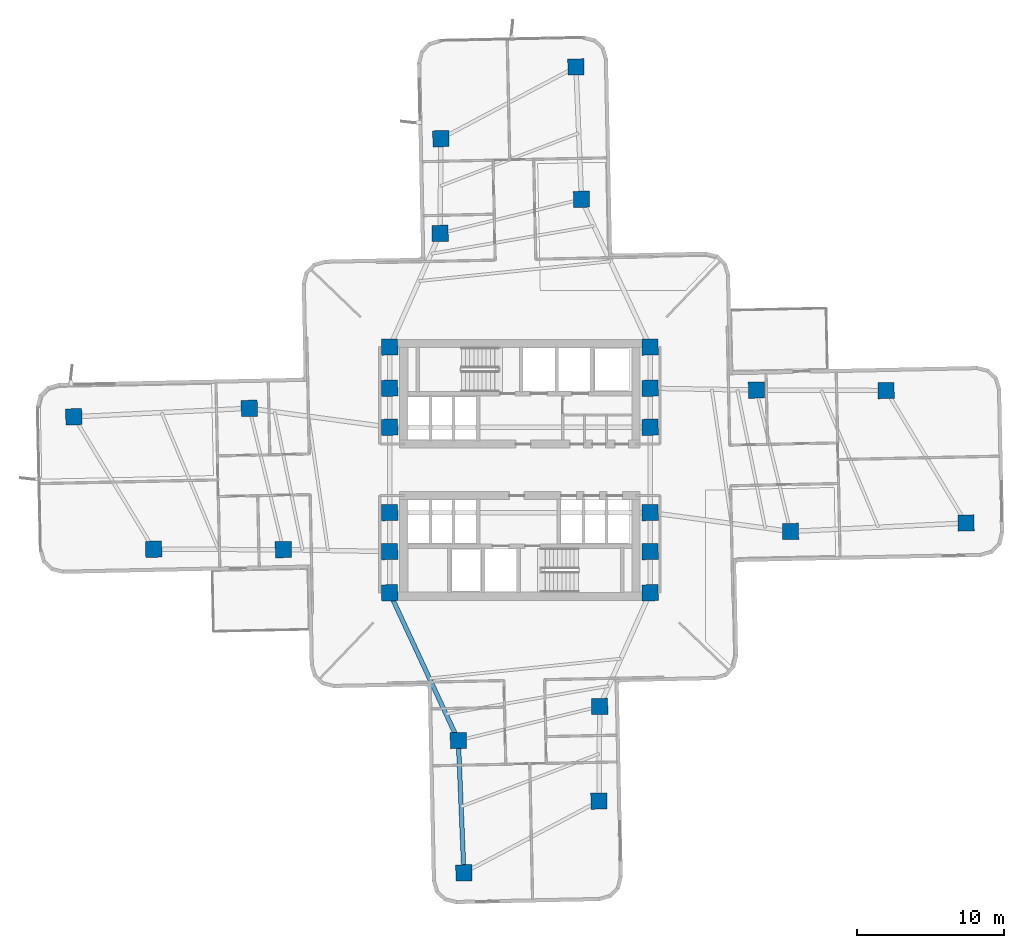
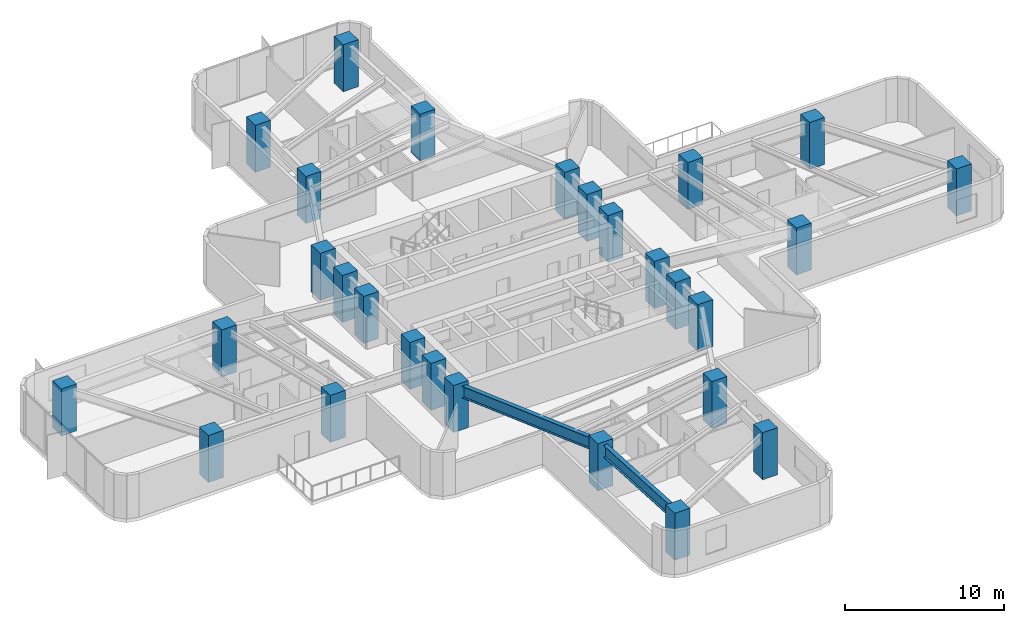
# One storey, part 1 of 15: 28 columns, 2 beams.
"""IFC4 building model written with IfcOpenShell, lengths in metres."""

from ifc_helpers import new_model, si_unit, direction, frame, origin, origin_2d, place, context, subcontext, project, spatial, rectangle, i_section, extrude, material, material_profile, profile_set, type_object, element, save


model = new_model("IFC4")

# Units and contexts
model_context = context("Model", 3, precision=1e-05, world=origin(), true_north=direction((0.0, 1.0)))
body_context = subcontext(model_context, "Body", "Model", "MODEL_VIEW")
ifc_project = project(units=[si_unit("LENGTHUNIT", "METRE"), si_unit("AREAUNIT", "SQUARE_METRE"), si_unit("VOLUMEUNIT", "CUBIC_METRE"), si_unit("PLANEANGLEUNIT", "RADIAN"), si_unit("MASSUNIT", "GRAM", prefix="KILO")], contexts=[model_context])

# Site, building, storey
site_placement = place(None, origin())
site = spatial("IfcSite", under=ifc_project, at=site_placement, CompositionType="ELEMENT")
building_placement = place(site_placement, origin())
building = spatial("IfcBuilding", under=site, at=building_placement, Name="Solmarez Civic Tower", CompositionType="ELEMENT")
storey_placement = place(building_placement, frame((0.0, 0.0, 38.8798828125)))
storey = spatial("IfcBuildingStorey", under=building, at=storey_placement, Name="L09", CompositionType="ELEMENT", Elevation=38.8798828125)

# Columns
ifc_material_1 = material(Name="Concrete C60/75", Category="concrete")
ifc_material_profile_1 = material_profile(ifc_material_1, rectangle(XDim=1.10009765625, YDim=1.10009765625, at=origin_2d()), Name="RC1100X1100")
ifc_profile_set_1 = profile_set([ifc_material_profile_1], Name="Concrete C60/75")
column_type = type_object("IfcColumnType", Name="COL-RC1100", PredefinedType="COLUMN", material=ifc_profile_set_1)
for number, where, z_axis, x_axis, name in (
    (1, (-8.85009765625, -5.550048828125, 0.0), (0.0, 0.0, 1.0), (0.999780683475, 0.020942419883, 0.0), "L09 Structural Column HC1"),
    (2, (-8.85009765625, -2.89990234375, 0.0), (0.0, 0.0, 1.0), (0.999780683475, 0.020942419883, 0.0), "L09 Structural Column HC2"),
    (3, (-8.85009765625, 2.89990234375, 0.0), (0.0, 0.0, 1.0), (0.999780683475, 0.020942419883, 0.0), "L09 Structural Column HC3"),
    (4, (-8.85009765625, 5.550048828125, 0.0), (0.0, 0.0, 1.0), (0.999780683475, 0.020942419883, 0.0), "L09 Structural Column HC4"),
    (5, (8.85009765625, -5.550048828125, 0.0), (0.0, 0.0, 1.0), (0.999780683475, 0.020942419883, 0.0), "L09 Structural Column HC5"),
    (6, (8.85009765625, -2.89990234375, 0.0), (0.0, 0.0, 1.0), (0.999780683475, 0.020942419883, 0.0), "L09 Structural Column HC6"),
    (7, (8.85009765625, 2.89990234375, 0.0), (0.0, 0.0, 1.0), (0.999780683475, 0.020942419883, 0.0), "L09 Structural Column HC7"),
    (8, (8.85009765625, 5.550048828125, 0.0), (0.0, 0.0, 1.0), (0.999780683475, 0.020942419883, 0.0), "L09 Structural Column HC8"),
    (9, (-8.85009765625, 8.35009765625, 0.0), (0.0, 0.0, 1.0), (0.999780683475, 0.020942419883, 0.0), "L09 Structural Column HC9"),
    (10, (8.85009765625, -8.35009765625, 0.0), (0.0, 0.0, 1.0), (0.999780683475, 0.020942419883, 0.0), "L09 Structural Column HC10"),
    (11, (8.85009765625, 8.35009765625, 0.0), (0.0, 0.0, 1.0), (0.999780683475, 0.020942419883, 0.0), "L09 Structural Column HC11"),
    (12, (-8.85009765625, -8.35009765625, 0.0), (0.0, 0.0, 1.0), (0.999780683475, 0.020942419883, 0.0), "L09 Structural Column HC12"),
    (13, (18.39111328125, -4.18408203125, 0.0), (0.0, 0.0, 1.0), (0.999780683475, 0.020942419883, 0.0), "L09 Structural Column EA11"),
    (14, (16.075927734375, 5.4208984375, 0.0), (0.0, 0.0, 1.0), (0.999780683475, 0.020942419883, 0.0), "L09 Structural Column EA12"),
    (15, (30.318115234375, -3.60888671875, 0.0), (0.0, 0.0, 1.0), (0.999780683475, 0.020942419883, 0.0), "L09 Structural Column EA21"),
    (16, (24.887939453125, 5.39306640625, 0.0), (0.0, 0.0, 1.0), (0.999780683475, 0.020942419883, 0.0), "L09 Structural Column EA22"),
    (17, (4.18408203125, 18.39111328125, 0.0), (0.0, 0.0, 1.0), (0.999780683475, 0.020942419883, 0.0), "L09 Structural Column NA11"),
    (18, (-5.4208984375, 16.075927734375, 0.0), (0.0, 0.0, 1.0), (0.999780683475, 0.020942419883, 0.0), "L09 Structural Column NA12"),
    (19, (3.806884765625, 27.383056640625, 0.0), (0.0, 0.0, 1.0), (0.999780683475, 0.020942419883, 0.0), "L09 Structural Column NA21"),
    (20, (-5.3720703125, 22.507080078125, 0.0), (0.0, 0.0, 1.0), (0.999780683475, 0.020942419883, 0.0), "L09 Structural Column NA22"),
    (21, (-18.39111328125, 4.18408203125, 0.0), (0.0, 0.0, 1.0), (0.999780683475, 0.020942419883, 0.0), "L09 Structural Column WA11"),
    (22, (-16.075927734375, -5.4208984375, 0.0), (0.0, 0.0, 1.0), (0.999780683475, 0.020942419883, 0.0), "L09 Structural Column WA12"),
    (23, (-30.318115234375, 3.60888671875, 0.0), (0.0, 0.0, 1.0), (0.999780683475, 0.020942419883, 0.0), "L09 Structural Column WA21"),
    (24, (-24.887939453125, -5.39306640625, 0.0), (0.0, 0.0, 1.0), (0.999780683475, 0.020942419883, 0.0), "L09 Structural Column WA22"),
    (25, (-4.18408203125, -18.39111328125, 0.0), (0.0, 0.0, 1.0), (0.999780683475, 0.020942419883, 0.0), "L09 Structural Column SA11"),
    (26, (5.4208984375, -16.075927734375, 0.0), (0.0, 0.0, 1.0), (0.999780683475, 0.020942419883, 0.0), "L09 Structural Column SA12"),
    (27, (-3.806884765625, -27.383056640625, 0.0), (0.0, 0.0, 1.0), (0.999780683475, 0.020942419883, 0.0), "L09 Structural Column SA21"),
    (28, (5.3720703125, -22.507080078125, 0.0), (0.0, 0.0, 1.0), (0.999780683475, 0.020942419883, 0.0), "L09 Structural Column SA22"),
):
    element("IfcColumn", number, at=place(storey_placement, frame(where, z_axis=z_axis, x_axis=x_axis)), inside=storey, type_object=column_type, Name=name, PredefinedType="COLUMN", context=body_context, shape_type="SweptSolid", body=[
        extrude(rectangle(XDim=1.10009765625, YDim=1.10009765625, at=origin_2d()), origin(), (0.0, 0.0, 1.0), 3.60009765625),
    ])

# Beams
ifc_material_2 = material(Name="Steel S355", Category="steel")
ifc_material_profile_2 = material_profile(ifc_material_2, i_section(OverallWidth=0.303955078125, OverallDepth=0.910888671875, WebThickness=0.015869140625, FlangeThickness=0.02392578125, at=origin_2d()), Name="W36X150")
ifc_profile_set_2 = profile_set([ifc_material_profile_2], Name="Steel S355")
beam_type = type_object("IfcBeamType", Name="BM-PR-W36X150", PredefinedType="BEAM", material=ifc_profile_set_2)
beam_1_placement = place(storey_placement, frame((-8.85009765625, -8.35009765625, 2.884033203125), z_axis=(0.421417065364, -0.906866945599, 0.0), x_axis=(0.906866945599, 0.421417065364, 0.0)))
element("IfcBeam", 29, at=beam_1_placement, inside=storey, type_object=beam_type, Name="L09 Primary Floor Beam BM-L09-SA-R1A", PredefinedType="BEAM", context=body_context, shape_type="SweptSolid", body=[
    extrude(i_section(OverallWidth=0.303955078125, OverallDepth=0.910888671875, WebThickness=0.015869140625, FlangeThickness=0.02392578125, at=origin_2d()), origin(), (0.0, 0.0, 1.0), 11.072265625),
])
beam_2_placement = place(storey_placement, frame((-4.18408203125, -18.39111328125, 2.884033203125), z_axis=(0.041911499832, -0.999121327058, 0.0), x_axis=(0.999121327058, 0.041911499832, 0.0)))
element("IfcBeam", 30, at=beam_2_placement, inside=storey, type_object=beam_type, Name="L09 Primary Floor Beam BM-L09-SA-R2A", PredefinedType="BEAM", context=body_context, shape_type="SweptSolid", body=[
    extrude(i_section(OverallWidth=0.303955078125, OverallDepth=0.910888671875, WebThickness=0.015869140625, FlangeThickness=0.02392578125, at=origin_2d()), origin(), (0.0, 0.0, 1.0), 8.999755859375),
])

save(model, "model.ifc")
